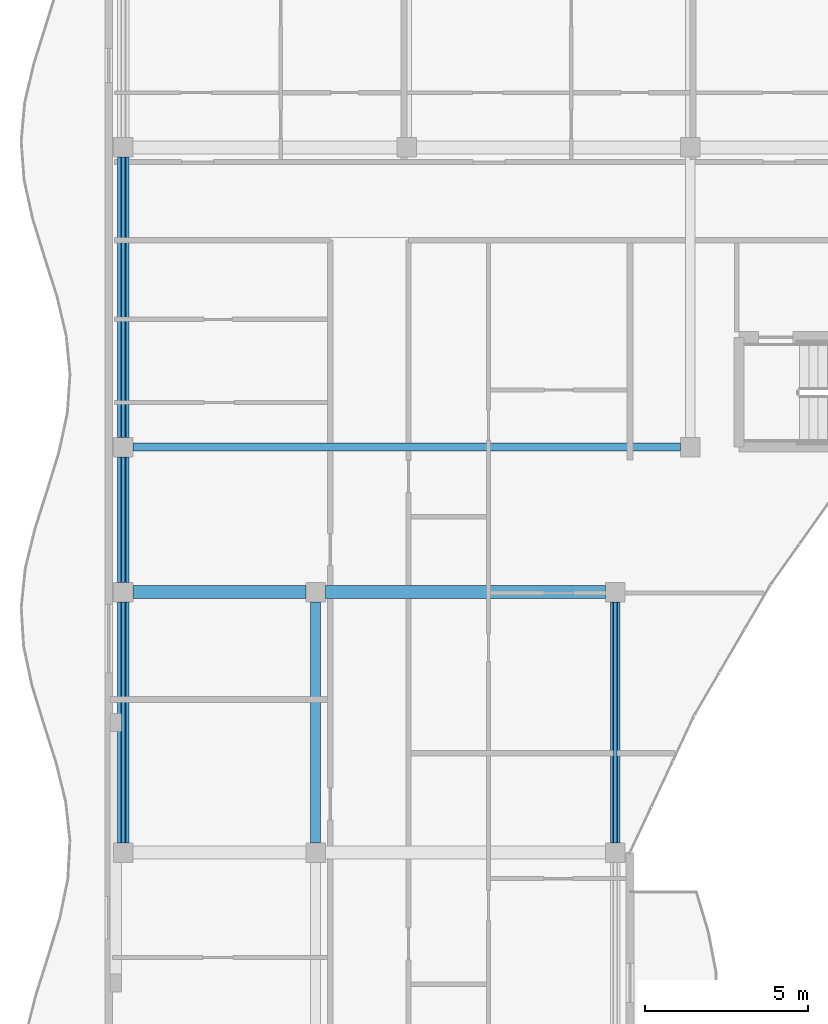
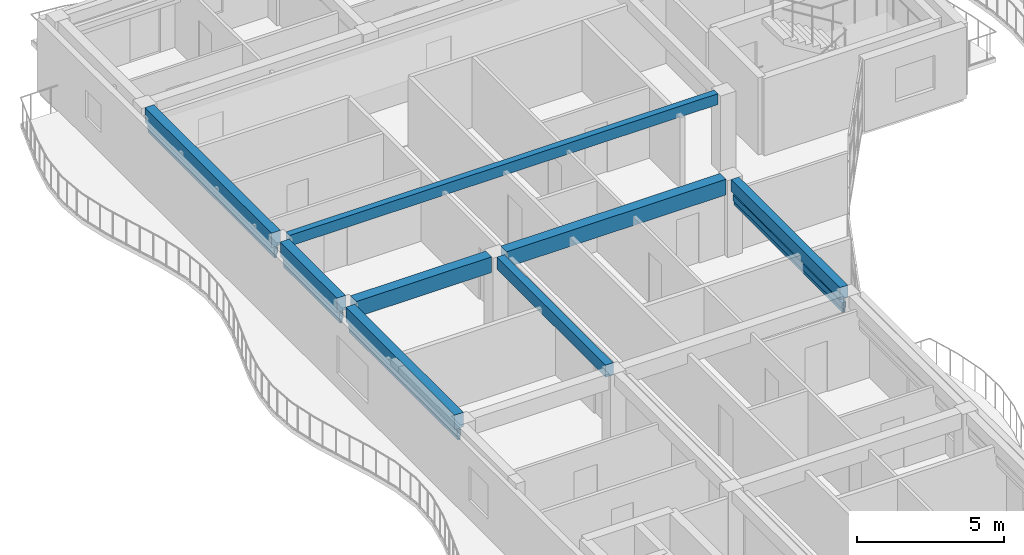
# One storey, part 7 of 79: 8 beams, 8 members.
"""IFC4 building model written with IfcOpenShell, lengths in metres."""

from ifc_helpers import new_model, si_unit, direction, frame, origin, origin_2d, place, context, subcontext, project, spatial, rectangle, hollow_rectangle, extrude, material, material_profile, profile_set, type_object, element, save


model = new_model("IFC4")

# Units and contexts
model_context = context("Model", 3, precision=1e-05, world=origin(), true_north=direction((0.0, 1.0)))
body_context = subcontext(model_context, "Body", "Model", "MODEL_VIEW")
ifc_project = project(units=[si_unit("LENGTHUNIT", "METRE"), si_unit("AREAUNIT", "SQUARE_METRE"), si_unit("VOLUMEUNIT", "CUBIC_METRE"), si_unit("PLANEANGLEUNIT", "RADIAN"), si_unit("MASSUNIT", "GRAM", prefix="KILO")], contexts=[model_context])

# Site, building, storey
site_placement = place(None, origin())
site = spatial("IfcSite", under=ifc_project, at=site_placement, CompositionType="ELEMENT")
building_placement = place(site_placement, origin())
building = spatial("IfcBuilding", under=site, at=building_placement, Name="Keldmere Railside Commons", CompositionType="ELEMENT")
storey_placement = place(building_placement, frame((0.0, 0.0, 10.56005859375)))
storey = spatial("IfcBuildingStorey", under=building, at=storey_placement, Name="L03", CompositionType="ELEMENT", Elevation=10.56005859375)

# Members
ifc_material_1 = material(Name="Steel F-36 (S355)", Category="steel")
ifc_material_profile_1 = material_profile(ifc_material_1, hollow_rectangle(XDim=0.14990234375, YDim=0.25, WallThickness=0.010009765625, at=origin_2d()), Name="RHS-250x150x10")
ifc_profile_set_1 = profile_set([ifc_material_profile_1], Name="Steel F-36 (S355)")
member_type_1 = type_object("IfcMemberType", Name="Balcony Continuous Planted Trough RHS250x150", PredefinedType="CHORD", material=ifc_profile_set_1)
member_1_placement = place(storey_placement, frame((8.449951171875, 88.300048828125, 2.4150390625), z_axis=(0.0, 1.0, 0.0), x_axis=(-1.0, 0.0, 0.0)))
element("IfcMember", 1, at=member_1_placement, inside=storey, type_object=member_type_1, Name="PLT-1 MEM-BPLT-0337", PredefinedType="CHORD", context=body_context, shape_type="SweptSolid", body=[
    extrude(hollow_rectangle(XDim=0.14990234375, YDim=0.25, WallThickness=0.010009765625, at=origin_2d()), origin(), (0.0, 0.0, 1.0), 7.39990234375),
])
member_2_placement = place(storey_placement, frame((8.449951171875, 96.300048828125, 2.4150390625), z_axis=(0.0, 1.0, 0.0), x_axis=(-1.0, 0.0, 0.0)))
element("IfcMember", 2, at=member_2_placement, inside=storey, type_object=member_type_1, Name="PLT-1 MEM-BPLT-0339", PredefinedType="CHORD", context=body_context, shape_type="SweptSolid", body=[
    extrude(hollow_rectangle(XDim=0.14990234375, YDim=0.25, WallThickness=0.010009765625, at=origin_2d()), origin(), (0.0, 0.0, 1.0), 3.849853515625),
])
member_3_placement = place(storey_placement, frame((8.449951171875, 100.75, 2.4150390625), z_axis=(0.0, 1.0, 0.0), x_axis=(-1.0, 0.0, 0.0)))
element("IfcMember", 3, at=member_3_placement, inside=storey, type_object=member_type_1, Name="PLT-1 MEM-BPLT-0341", PredefinedType="CHORD", context=body_context, shape_type="SweptSolid", body=[
    extrude(hollow_rectangle(XDim=0.14990234375, YDim=0.25, WallThickness=0.010009765625, at=origin_2d()), origin(), (0.0, 0.0, 1.0), 8.60009765625),
])
member_4_placement = place(storey_placement, frame((23.550048828125, 88.300048828125, 2.4150390625), z_axis=(0.0, 1.0, 0.0), x_axis=(-1.0, 0.0, 0.0)))
element("IfcMember", 4, at=member_4_placement, inside=storey, type_object=member_type_1, Name="PLT-1 MEM-BPLT-0353", PredefinedType="CHORD", context=body_context, shape_type="SweptSolid", body=[
    extrude(hollow_rectangle(XDim=0.14990234375, YDim=0.25, WallThickness=0.010009765625, at=origin_2d()), origin(), (0.0, 0.0, 1.0), 7.39990234375),
])

# Beams
ifc_material_2 = material(Name="Architectural Precast Concrete H-35 (C35/45)", Category="concrete")
ifc_material_profile_2 = material_profile(ifc_material_2, rectangle(XDim=0.25, YDim=0.449951171875, at=origin_2d()), Name="RC-250x450")
ifc_profile_set_2 = profile_set([ifc_material_profile_2], Name="Architectural Precast Concrete H-35 (C35/45)")
beam_type_1 = type_object("IfcBeamType", Name="Perimeter Precast Spandrel Beam 250x450", PredefinedType="SPANDREL", material=ifc_profile_set_2)
beam_1_placement = place(storey_placement, frame((8.75, 100.449951171875, 2.974853515625), z_axis=(1.0, 0.0, 0.0), x_axis=(0.0, 1.0, 0.0)))
element("IfcBeam", 5, at=beam_1_placement, inside=storey, type_object=beam_type_1, Name="SPB-1 BM-L03-1369", PredefinedType="SPANDREL", context=body_context, shape_type="SweptSolid", body=[
    extrude(rectangle(XDim=0.25, YDim=0.449951171875, at=origin_2d()), origin(), (0.0, 0.0, 1.0), 16.800048828125),
])
ifc_material_3 = material(Name="Concrete H-30 (C30/37)", Category="concrete")
ifc_material_profile_3 = material_profile(ifc_material_3, rectangle(XDim=0.35009765625, YDim=0.60009765625, at=origin_2d()), Name="RC-350x600")
ifc_profile_set_3 = profile_set([ifc_material_profile_3], Name="Concrete H-30 (C30/37)")
beam_type_2 = type_object("IfcBeamType", Name="Residential Chord RC Beam 350x600", PredefinedType="BEAM", material=ifc_profile_set_3)
beam_2_placement = place(storey_placement, frame((8.449951171875, 88.300048828125, 2.89990234375), z_axis=(0.0, 1.0, 0.0), x_axis=(-1.0, 0.0, 0.0)))
element("IfcBeam", 6, at=beam_2_placement, inside=storey, type_object=beam_type_2, Name="BG-4 BM-L03-1419", PredefinedType="BEAM", context=body_context, shape_type="SweptSolid", body=[
    extrude(rectangle(XDim=0.35009765625, YDim=0.60009765625, at=origin_2d()), origin(), (0.0, 0.0, 1.0), 7.39990234375),
])
beam_3_placement = place(storey_placement, frame((8.449951171875, 96.300048828125, 2.89990234375), z_axis=(0.0, 1.0, 0.0), x_axis=(-1.0, 0.0, 0.0)))
element("IfcBeam", 7, at=beam_3_placement, inside=storey, type_object=beam_type_2, Name="BG-4 BM-L03-1420", PredefinedType="BEAM", context=body_context, shape_type="SweptSolid", body=[
    extrude(rectangle(XDim=0.35009765625, YDim=0.60009765625, at=origin_2d()), origin(), (0.0, 0.0, 1.0), 3.849853515625),
])
beam_4_placement = place(storey_placement, frame((8.449951171875, 100.75, 2.89990234375), z_axis=(0.0, 1.0, 0.0), x_axis=(-1.0, 0.0, 0.0)))
element("IfcBeam", 8, at=beam_4_placement, inside=storey, type_object=beam_type_2, Name="BG-4 BM-L03-1421", PredefinedType="BEAM", context=body_context, shape_type="SweptSolid", body=[
    extrude(rectangle(XDim=0.35009765625, YDim=0.60009765625, at=origin_2d()), origin(), (0.0, 0.0, 1.0), 8.60009765625),
])
ifc_material_profile_4 = material_profile(ifc_material_3, rectangle(XDim=0.39990234375, YDim=0.64990234375, at=origin_2d()), Name="RC-400x650")
ifc_profile_set_4 = profile_set([ifc_material_profile_4], Name="Concrete H-30 (C30/37)")
beam_type_3 = type_object("IfcBeamType", Name="Residential Spine RC Girder 400x650", PredefinedType="BEAM", material=ifc_profile_set_4)
beam_5_placement = place(storey_placement, frame((8.75, 96.0, 2.875), z_axis=(1.0, 0.0, 0.0), x_axis=(0.0, 1.0, 0.0)))
element("IfcBeam", 9, at=beam_5_placement, inside=storey, type_object=beam_type_3, Name="BG-3 BM-L03-1361", PredefinedType="BEAM", context=body_context, shape_type="SweptSolid", body=[
    extrude(rectangle(XDim=0.39990234375, YDim=0.64990234375, at=origin_2d()), origin(), (0.0, 0.0, 1.0), 5.300048828125),
])
beam_6_placement = place(storey_placement, frame((14.64990234375, 96.0, 2.875), z_axis=(1.0, 0.0, 0.0), x_axis=(0.0, 1.0, 0.0)))
element("IfcBeam", 10, at=beam_6_placement, inside=storey, type_object=beam_type_3, Name="BG-3 BM-L03-1362", PredefinedType="BEAM", context=body_context, shape_type="SweptSolid", body=[
    extrude(rectangle(XDim=0.39990234375, YDim=0.64990234375, at=origin_2d()), origin(), (0.0, 0.0, 1.0), 8.60009765625),
])
ifc_material_profile_5 = material_profile(ifc_material_3, rectangle(XDim=0.300048828125, YDim=0.5, at=origin_2d()), Name="RC-300x500")
ifc_profile_set_5 = profile_set([ifc_material_profile_5], Name="Concrete H-30 (C30/37)")
beam_type_4 = type_object("IfcBeamType", Name="Secondary Frame RC Beam 300x500", PredefinedType="BEAM", material=ifc_profile_set_5)
for number, where, z_axis, x_axis, name in (
    (11, (14.35009765625, 88.300048828125, 2.949951171875), (0.0, 1.0, 0.0), (-1.0, 0.0, 0.0), "BG-5 BM-L03-1427"),
    (12, (23.550048828125, 88.300048828125, 2.949951171875), (0.0, 1.0, 0.0), (-1.0, 0.0, 0.0), "BG-5 BM-L03-1433"),
):
    element("IfcBeam", number, at=place(storey_placement, frame(where, z_axis=z_axis, x_axis=x_axis)), inside=storey, type_object=beam_type_4, Name=name, PredefinedType="BEAM", context=body_context, shape_type="SweptSolid", body=[
        extrude(rectangle(XDim=0.300048828125, YDim=0.5, at=origin_2d()), origin(), (0.0, 0.0, 1.0), 7.39990234375),
    ])

# Members
ifc_material_profile_6 = material_profile(ifc_material_1, hollow_rectangle(XDim=0.10009765625, YDim=0.159912109375, WallThickness=0.008056640625, at=origin_2d()), Name="RHS-160x100x8")
ifc_profile_set_6 = profile_set([ifc_material_profile_6], Name="Steel F-36 (S355)")
member_type_2 = type_object("IfcMemberType", Name="Solar Brise-Soleil Louvre Fin RHS160x100", PredefinedType="STRUT", material=ifc_profile_set_6)
member_5_placement = place(storey_placement, frame((8.449951171875, 88.300048828125, 2.199951171875), z_axis=(0.0, 1.0, 0.0), x_axis=(-1.0, 0.0, 0.0)))
element("IfcMember", 13, at=member_5_placement, inside=storey, type_object=member_type_2, Name="BSF-1 MEM-BSF-0338", PredefinedType="STRUT", context=body_context, shape_type="SweptSolid", body=[
    extrude(hollow_rectangle(XDim=0.10009765625, YDim=0.159912109375, WallThickness=0.008056640625, at=origin_2d()), origin(), (0.0, 0.0, 1.0), 7.39990234375),
])
member_6_placement = place(storey_placement, frame((8.449951171875, 96.300048828125, 2.199951171875), z_axis=(0.0, 1.0, 0.0), x_axis=(-1.0, 0.0, 0.0)))
element("IfcMember", 14, at=member_6_placement, inside=storey, type_object=member_type_2, Name="BSF-1 MEM-BSF-0340", PredefinedType="STRUT", context=body_context, shape_type="SweptSolid", body=[
    extrude(hollow_rectangle(XDim=0.10009765625, YDim=0.159912109375, WallThickness=0.008056640625, at=origin_2d()), origin(), (0.0, 0.0, 1.0), 3.849853515625),
])
member_7_placement = place(storey_placement, frame((8.449951171875, 100.75, 2.199951171875), z_axis=(0.0, 1.0, 0.0), x_axis=(-1.0, 0.0, 0.0)))
element("IfcMember", 15, at=member_7_placement, inside=storey, type_object=member_type_2, Name="BSF-1 MEM-BSF-0342", PredefinedType="STRUT", context=body_context, shape_type="SweptSolid", body=[
    extrude(hollow_rectangle(XDim=0.10009765625, YDim=0.159912109375, WallThickness=0.008056640625, at=origin_2d()), origin(), (0.0, 0.0, 1.0), 8.60009765625),
])
member_8_placement = place(storey_placement, frame((23.550048828125, 88.300048828125, 2.199951171875), z_axis=(0.0, 1.0, 0.0), x_axis=(-1.0, 0.0, 0.0)))
element("IfcMember", 16, at=member_8_placement, inside=storey, type_object=member_type_2, Name="BSF-1 MEM-BSF-0354", PredefinedType="STRUT", context=body_context, shape_type="SweptSolid", body=[
    extrude(hollow_rectangle(XDim=0.10009765625, YDim=0.159912109375, WallThickness=0.008056640625, at=origin_2d()), origin(), (0.0, 0.0, 1.0), 7.39990234375),
])

save(model, "model.ifc")
